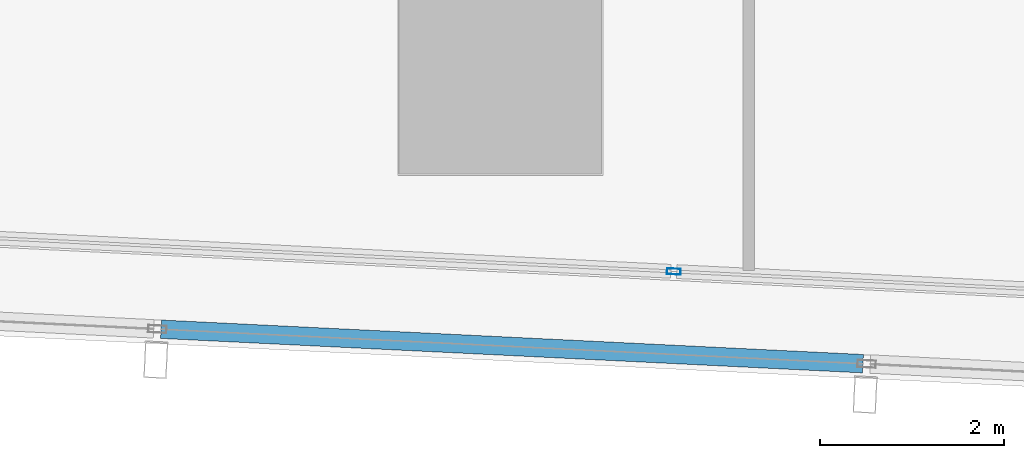
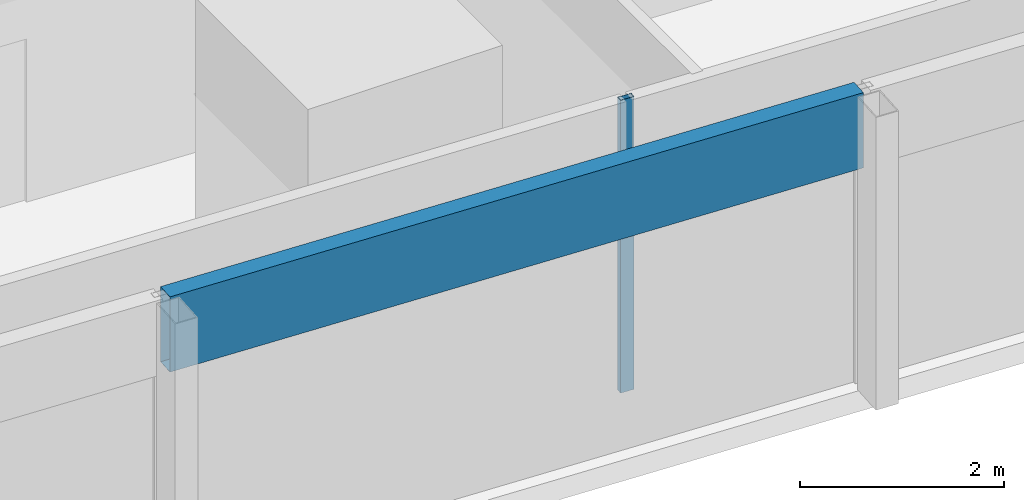
# One storey, part 6 of 44: 2 members, 2 elements without a shape of their own.
"""IFC4 building model written with IfcOpenShell, lengths in metres."""

from ifc_helpers import new_model, si_unit, direction, frame, origin, origin_2d, place, context, subcontext, project, spatial, hollow_rectangle, extrude, material, material_profile, profile_set, type_object, element, aggregate, save


model = new_model("IFC4")

# Units and contexts
model_context = context("Model", 3, precision=1e-05, world=origin(), true_north=direction((0.0, 1.0)))
body_context = subcontext(model_context, "Body", "Model", "MODEL_VIEW")
ifc_project = project(units=[si_unit("LENGTHUNIT", "METRE"), si_unit("AREAUNIT", "SQUARE_METRE"), si_unit("VOLUMEUNIT", "CUBIC_METRE"), si_unit("PLANEANGLEUNIT", "RADIAN"), si_unit("MASSUNIT", "GRAM", prefix="KILO")], contexts=[model_context])

# Site, building, storey
site_placement = place(None, origin())
site = spatial("IfcSite", under=ifc_project, at=site_placement, CompositionType="ELEMENT")
building_placement = place(site_placement, origin())
building = spatial("IfcBuilding", under=site, at=building_placement, Name="Rekha Terrace Tower", CompositionType="ELEMENT")
storey_placement = place(building_placement, frame((0.0, 0.0, 66.64990234375)))
storey = spatial("IfcBuildingStorey", under=building, at=storey_placement, Name="L16", CompositionType="ELEMENT", Elevation=66.64990234375)

# Curtain wall, member
ifc_material_1 = material(Name="Aluminium framing", Category="aluminium")
curtain_wall_type_1 = type_object("IfcCurtainWallType", Name="CW1 double skin inner glazing", PredefinedType="USERDEFINED", material=ifc_material_1)
curtain_wall_1_placement = place(storey_placement, origin())
curtain_wall_1 = element("IfcCurtainWall", 1, at=curtain_wall_1_placement, inside=storey, type_object=curtain_wall_type_1, Name="CW1 double skin inner glazing", ObjectType="DOUBLE SKIN INNER GLAZING", PredefinedType="USERDEFINED")
ifc_material_2 = material(Name="Aluminium mullion section", Category="aluminium")
ifc_material_profile_1 = material_profile(ifc_material_2, hollow_rectangle(XDim=0.06494140625, YDim=0.14990234375, WallThickness=0.00390625, at=origin_2d()), Name="AL RHS 65x150")
ifc_profile_set_1 = profile_set([ifc_material_profile_1], Name="Aluminium mullion section")
member_type_1 = type_object("IfcMemberType", Name="CW1 mullion RHS 65 x 150", PredefinedType="MULLION", material=ifc_profile_set_1)
member_1_placement = place(storey_placement, frame((35.48388671875, 6.24267578125, 0.0), z_axis=(0.0, 0.0, 1.0), x_axis=(0.049051717746, 0.998796239974, 0.0)))
member_1 = element("IfcMember", 2, at=member_1_placement, type_object=member_type_1, Name="CW1 mullion 3", PredefinedType="MULLION", context=body_context, shape_type="SweptSolid", body=[
    extrude(hollow_rectangle(XDim=0.06494140625, YDim=0.14990234375, WallThickness=0.00390625, at=origin_2d()), origin(), (0.0, 0.0, 1.0), 3.5),
])
aggregate(curtain_wall_1, [member_1])

curtain_wall_type_2 = type_object("IfcCurtainWallType", Name="CW2 double skin outer glazing", PredefinedType="USERDEFINED", material=ifc_material_1)
curtain_wall_2_placement = place(storey_placement, origin())
curtain_wall_2 = element("IfcCurtainWall", 3, at=curtain_wall_2_placement, inside=storey, type_object=curtain_wall_type_2, Name="CW2 double skin outer glazing", ObjectType="DOUBLE SKIN OUTER GLAZING", PredefinedType="USERDEFINED")
ifc_material_3 = material(Name="Insulated aluminium spandrel box", Category="aluminium")
ifc_material_profile_2 = material_profile(ifc_material_3, hollow_rectangle(XDim=0.199951171875, YDim=0.89990234375, WallThickness=0.0029296875, at=origin_2d()), Name="AL SPANDREL BOX 200x900")
ifc_profile_set_2 = profile_set([ifc_material_profile_2], Name="Insulated aluminium spandrel box")
member_type_2 = type_object("IfcMemberType", Name="CW2 spandrel transom 200 x 900", PredefinedType="USERDEFINED", material=ifc_profile_set_2)
member_2_placement = place(storey_placement, frame((29.91259765625, 5.615234375, 3.050048828125), z_axis=(0.998796434643, -0.049047753721, 0.0), x_axis=(0.049047753721, 0.998796434643, 0.0)))
member_2 = element("IfcMember", 4, at=member_2_placement, type_object=member_type_2, Name="CW2 spandrel transom 4", ObjectType="TRANSOM", PredefinedType="USERDEFINED", context=body_context, shape_type="SweptSolid", body=[
    extrude(hollow_rectangle(XDim=0.199951171875, YDim=0.89990234375, WallThickness=0.0029296875, at=origin_2d()), origin(), (0.0, 0.0, 1.0), 7.6357421875),
])
aggregate(curtain_wall_2, [member_2])

save(model, "model.ifc")
